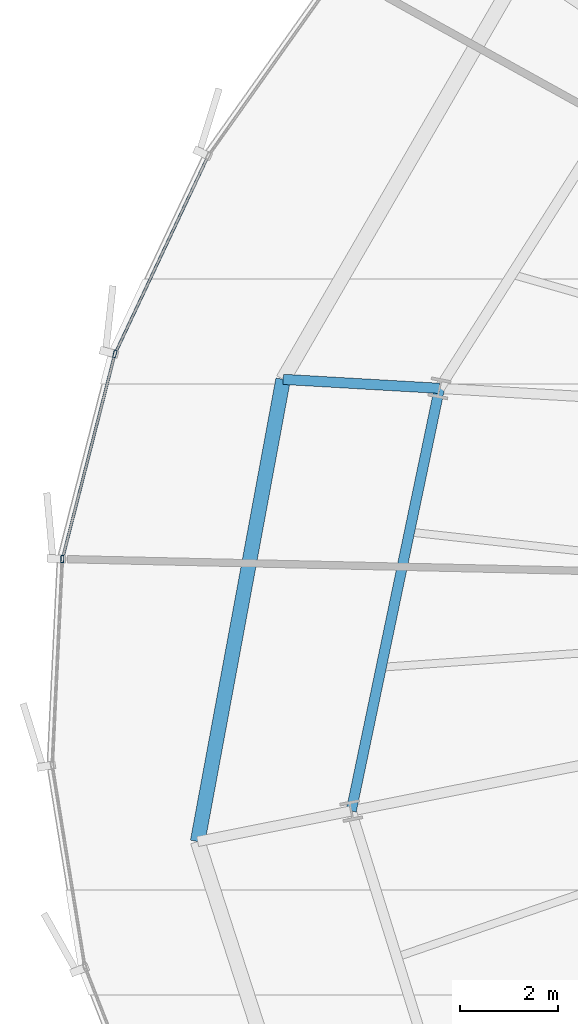
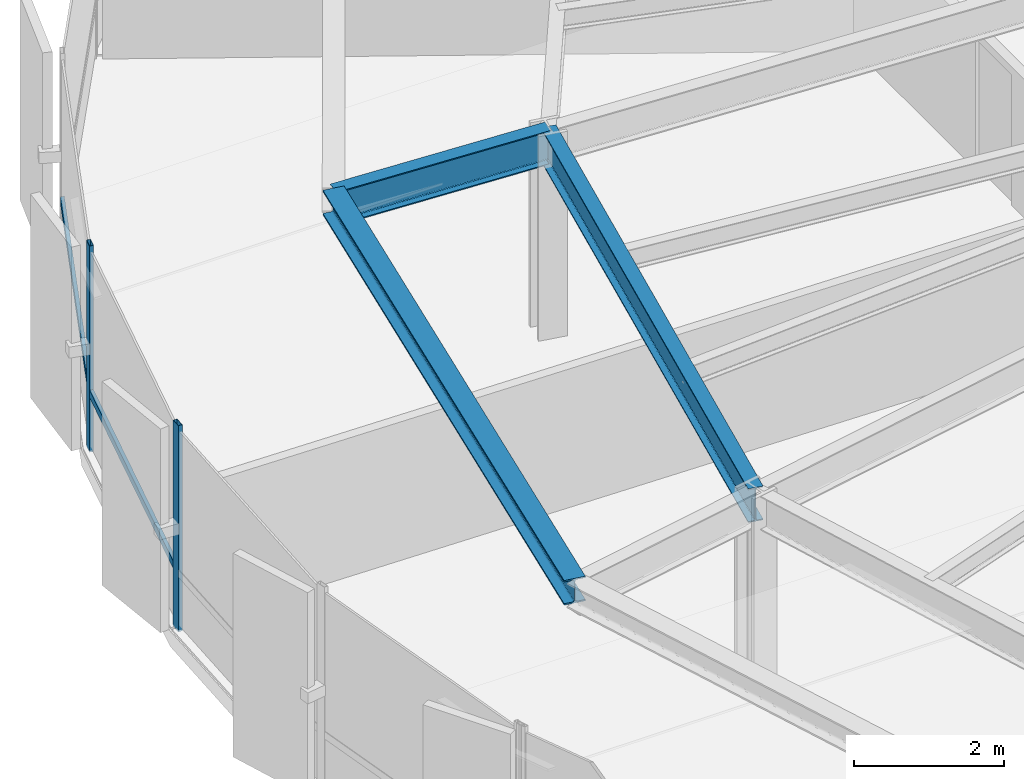
# One storey, part 9 of 35: 4 members, 3 beams, 1 element without a shape of its own.
"""IFC4 building model written with IfcOpenShell, lengths in metres."""

from ifc_helpers import new_model, si_unit, direction, frame, origin, origin_2d, place, context, subcontext, project, spatial, hollow_rectangle, i_section, extrude, source, transform, mapped, material, layer, layer_set, material_profile, profile_set, type_object, element, aggregate, save


model = new_model("IFC4")

# Units and contexts
model_context = context("Model", 3, precision=1e-05, world=origin(), true_north=direction((0.0, 1.0)))
body_context = subcontext(model_context, "Body", "Model", "MODEL_VIEW")
ifc_project = project(units=[si_unit("LENGTHUNIT", "METRE"), si_unit("AREAUNIT", "SQUARE_METRE"), si_unit("VOLUMEUNIT", "CUBIC_METRE"), si_unit("PLANEANGLEUNIT", "RADIAN"), si_unit("MASSUNIT", "GRAM", prefix="KILO"), si_unit("THERMODYNAMICTEMPERATUREUNIT", "KELVIN")], contexts=[model_context])

# Site, building, storey
site_placement = place(None, origin())
site = spatial("IfcSite", under=ifc_project, at=site_placement, CompositionType="ELEMENT")
building_placement = place(site_placement, origin())
building = spatial("IfcBuilding", under=site, at=building_placement, Name="Kethvar Cultural Tower", CompositionType="ELEMENT")
storey_placement = place(building_placement, frame((0.0, 0.0, 96.39990234375)))
storey = spatial("IfcBuildingStorey", under=building, at=storey_placement, Name="L23", CompositionType="ELEMENT", Elevation=96.39990234375)

# Beams
ifc_material_1 = material(Name="Steel S355J2", Category="steel")
ifc_material_profile_1 = material_profile(ifc_material_1, i_section(OverallWidth=0.2099609375, OverallDepth=0.550048828125, WebThickness=0.010986328125, FlangeThickness=0.01708984375, FilletRadius=0.02392578125, at=origin_2d()), Name="Steel S355J2 — IPE550")
ifc_profile_set_1 = profile_set([ifc_material_profile_1], Name="Steel S355J2 — IPE550")
beam_type_1 = type_object("IfcBeamType", Name="BM-IPE550", PredefinedType="BEAM", material=ifc_profile_set_1)
shared_shape_1 = source(origin(), body_context, "Body", "SweptSolid", [
    extrude(i_section(OverallWidth=0.2099609375, OverallDepth=0.550048828125, WebThickness=0.010986328125, FlangeThickness=0.01708984375, FilletRadius=0.02392578125, at=origin_2d()), origin(), (0.0, 0.0, 1.0), 3.2001953125),
])
beam_1_placement = place(storey_placement, frame((25.988525390625, 31.939697265625, 3.072998046875), z_axis=(-0.998357274949, 0.057295301352, 0.0), x_axis=(-0.057295301352, -0.998357274949, 0.0)))
element("IfcBeam", 1, at=beam_1_placement, inside=storey, type_object=beam_type_1, Name="L23 Perimeter Cantilever Beam RC-08", PredefinedType="BEAM", context=body_context, shape_type="MappedRepresentation", body=[
    mapped(shared_shape_1, transform((0.0, 0.0, 0.0), scale=1.0)),
])
shared_shape_2 = source(origin(), body_context, "Body", "SweptSolid", [
    extrude(i_section(OverallWidth=0.2099609375, OverallDepth=0.550048828125, WebThickness=0.010986328125, FlangeThickness=0.01708984375, FilletRadius=0.02392578125, at=origin_2d()), origin(), (0.0, 0.0, 1.0), 8.82421875),
])
beam_2_placement = place(storey_placement, frame((25.988525390625, 31.939697265625, 3.072998046875), z_axis=(-0.204350879122, -0.978897705688, 0.0), x_axis=(0.978897705688, -0.204350879122, 0.0)))
element("IfcBeam", 2, at=beam_2_placement, inside=storey, type_object=beam_type_1, Name="L23 Column Ring Tie Beam CR-08", PredefinedType="BEAM", context=body_context, shape_type="MappedRepresentation", body=[
    mapped(shared_shape_2, transform((0.0, 0.0, 0.0), scale=1.0)),
])
ifc_material_profile_2 = material_profile(ifc_material_1, i_section(OverallWidth=0.300048828125, OverallDepth=0.39990234375, WebThickness=0.013427734375, FlangeThickness=0.02392578125, FilletRadius=0.027099609375, at=origin_2d()), Name="Steel S355J2 — HEB400")
ifc_profile_set_2 = profile_set([ifc_material_profile_2], Name="Steel S355J2 — HEB400")
beam_type_2 = type_object("IfcBeamType", Name="BM-SP400", PredefinedType="SPANDREL", material=ifc_profile_set_2)
shared_shape_3 = source(origin(), body_context, "Body", "SweptSolid", [
    extrude(i_section(OverallWidth=0.300048828125, OverallDepth=0.39990234375, WebThickness=0.013427734375, FlangeThickness=0.02392578125, FilletRadius=0.027099609375, at=origin_2d()), origin(), (0.0, 0.0, 1.0), 9.605712890625),
])
beam_3_placement = place(storey_placement, frame((22.793701171875, 32.123046875, 3.148193359375), z_axis=(-0.1818526217, -0.983325797476, 0.0), x_axis=(0.983325797476, -0.1818526217, 0.0)))
element("IfcBeam", 3, at=beam_3_placement, inside=storey, type_object=beam_type_2, Name="L23 Perimeter Spandrel Beam SP-08", PredefinedType="SPANDREL", context=body_context, shape_type="MappedRepresentation", body=[
    mapped(shared_shape_3, transform((0.0, 0.0, 0.0), scale=1.0)),
])

# Curtain wall, members
ifc_material_2 = material(Name="Aluminium 6063-T6", Category="aluminium")
ifc_layer = layer(ifc_material_2, 0.179931640625, Name="Aluminium 6063-T6", Category="aluminium")
ifc_layer_set = layer_set([ifc_layer], Name="Aluminium 6063-T6 (180 mm)")
curtain_wall_type = type_object("IfcCurtainWallType", Name="CW-SYS-03-Z2", PredefinedType="NOTDEFINED", material=ifc_layer_set)
curtain_wall_placement = place(storey_placement, origin())
curtain_wall = element("IfcCurtainWall", 4, at=curtain_wall_placement, inside=storey, type_object=curtain_wall_type, Name="L23 Curtain Wall Run 03", PredefinedType="NOTDEFINED")
ifc_material_profile_3 = material_profile(ifc_material_2, hollow_rectangle(XDim=0.06005859375, YDim=0.14990234375, WallThickness=0.0048828125, at=origin_2d()), Name="Aluminium 6063-T6 — RHS150x60x5")
ifc_profile_set_3 = profile_set([ifc_material_profile_3], Name="Aluminium 6063-T6 — RHS150x60x5")
member_type_1 = type_object("IfcMemberType", Name="CW-SYS-03-Z2-MUL", PredefinedType="MULLION", material=ifc_profile_set_3)
shared_shape_4 = source(origin(), body_context, "Body", "SweptSolid", [
    extrude(hollow_rectangle(XDim=0.06005859375, YDim=0.14990234375, WallThickness=0.0048828125, at=origin_2d()), origin(), (0.0, 0.0, 1.0), 3.35009765625),
])
member_1_placement = place(storey_placement, frame((19.354736328125, 32.644287109375, 0.0), z_axis=(0.0, 0.0, 1.0), x_axis=(0.968873309471, -0.247557084719, 0.0)))
member_1 = element("IfcMember", 5, at=member_1_placement, type_object=member_type_1, Name="CW-L23-R03 Mullion 4", PredefinedType="MULLION", context=body_context, shape_type="MappedRepresentation", body=[
    mapped(shared_shape_4, transform((0.0, 0.0, 0.0), scale=1.0)),
])
member_2_placement = place(storey_placement, frame((18.281005859375, 28.451171875, 0.0), z_axis=(0.0, 0.0, 1.0), x_axis=(0.998806137341, -0.048849769796, 0.0)))
member_2 = element("IfcMember", 6, at=member_2_placement, type_object=member_type_1, Name="CW-L23-R03 Mullion 5", PredefinedType="MULLION", context=body_context, shape_type="MappedRepresentation", body=[
    mapped(shared_shape_4, transform((0.0, 0.0, 0.0), scale=1.0)),
])
ifc_material_profile_4 = material_profile(ifc_material_2, hollow_rectangle(XDim=0.054931640625, YDim=0.1201171875, WallThickness=0.00390625, at=origin_2d()), Name="Aluminium 6063-T6 — RHS120x55x4")
ifc_profile_set_4 = profile_set([ifc_material_profile_4], Name="Aluminium 6063-T6 — RHS120x55x4")
member_type_2 = type_object("IfcMemberType", Name="CW-SYS-03-Z2-TRN", PredefinedType="USERDEFINED", material=ifc_profile_set_4)
shared_shape_5 = source(origin(), body_context, "Body", "SweptSolid", [
    extrude(hollow_rectangle(XDim=0.054931640625, YDim=0.1201171875, WallThickness=0.00390625, at=origin_2d()), origin(), (0.0, 0.0, 1.0), 4.409912109375),
])
member_3_placement = place(storey_placement, frame((21.24365234375, 36.653076171875, 0.9501953125), z_axis=(-0.425850359496, -0.904793607027, 0.0), x_axis=(0.904793607027, -0.425850359496, 0.0)))
member_3 = element("IfcMember", 7, at=member_3_placement, type_object=member_type_2, Name="CW-L23-R03 Transom 3", ObjectType="TRANSOM", PredefinedType="USERDEFINED", context=body_context, shape_type="MappedRepresentation", body=[
    mapped(shared_shape_5, transform((0.0, 0.0, 0.0), scale=1.0)),
])
shared_shape_6 = source(origin(), body_context, "Body", "SweptSolid", [
    extrude(hollow_rectangle(XDim=0.054931640625, YDim=0.1201171875, WallThickness=0.00390625, at=origin_2d()), origin(), (0.0, 0.0, 1.0), 4.26513671875),
])
member_4_placement = place(storey_placement, frame((19.343994140625, 32.6025390625, 0.9501953125), z_axis=(-0.247569610153, -0.968870109008, 0.0), x_axis=(0.968870109008, -0.247569610153, 0.0)))
member_4 = element("IfcMember", 8, at=member_4_placement, type_object=member_type_2, Name="CW-L23-R03 Transom 4", ObjectType="TRANSOM", PredefinedType="USERDEFINED", context=body_context, shape_type="MappedRepresentation", body=[
    mapped(shared_shape_6, transform((0.0, 0.0, 0.0), scale=1.0)),
])
aggregate(curtain_wall, [member_1, member_2, member_3, member_4])

save(model, "model.ifc")
